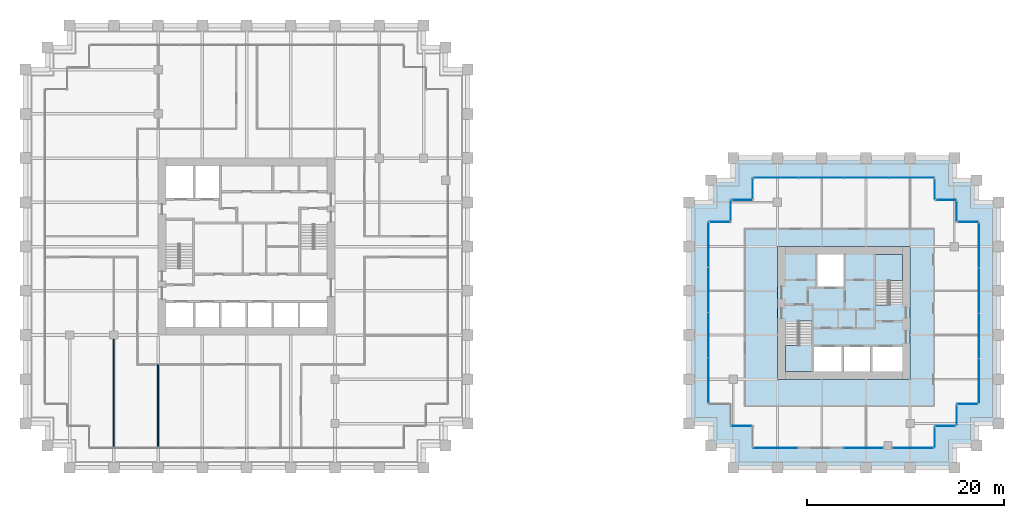
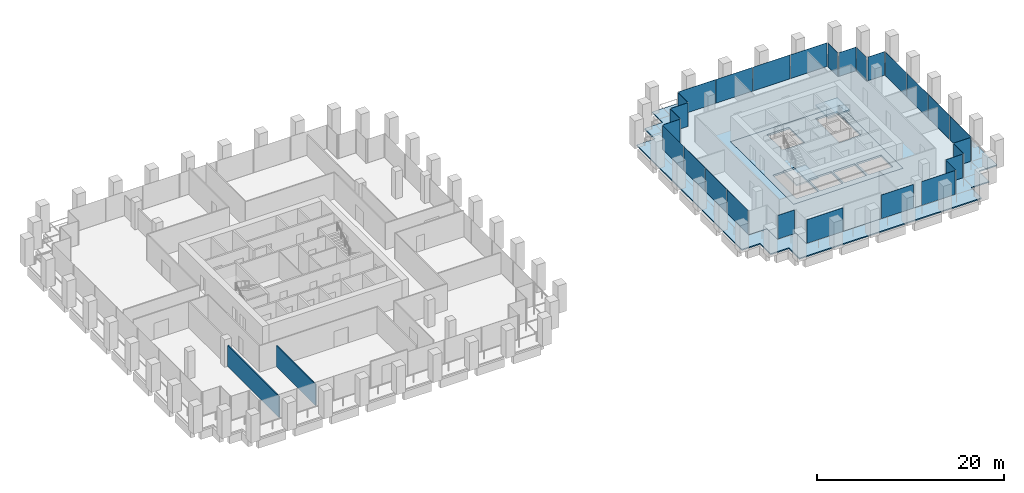
# One storey, part 49 of 54: 28 plates, 5 slabs, 2 walls, 21 elements without a shape of their own.
"""IFC4 building model written with IfcOpenShell, lengths in metres."""

from ifc_helpers import new_model, si_unit, direction, frame, frame_2d, origin, origin_2d, place, context, subcontext, project, spatial, polyline, rectangle, outline, extrude, material, layer, layer_set, type_object, element, aggregate, save


model = new_model("IFC4")

# Units and contexts
model_context = context("Model", 3, precision=1e-05, world=origin(), true_north=direction((0.0, 1.0)))
body_context = subcontext(model_context, "Body", "Model", "MODEL_VIEW")
ifc_project = project(units=[si_unit("LENGTHUNIT", "METRE"), si_unit("AREAUNIT", "SQUARE_METRE"), si_unit("VOLUMEUNIT", "CUBIC_METRE"), si_unit("PLANEANGLEUNIT", "RADIAN"), si_unit("MASSUNIT", "GRAM", prefix="KILO")], contexts=[model_context])

# Site, building, storey
site_placement = place(None, origin())
site = spatial("IfcSite", under=ifc_project, at=site_placement, CompositionType="ELEMENT")
building_placement = place(site_placement, origin())
building = spatial("IfcBuilding", under=site, at=building_placement, Name="Altepetl Exchange Towers", CompositionType="ELEMENT")
storey_placement = place(building_placement, frame((0.0, 0.0, 61.800048828125)))
storey = spatial("IfcBuildingStorey", under=building, at=storey_placement, Name="L14", CompositionType="ELEMENT", Elevation=61.800048828125)

# Slabs
ifc_material_1 = material(Name="Concrete C40/50", Category="concrete")
ifc_layer_1 = layer(ifc_material_1, 0.14990234375)
ifc_layer_set_1 = layer_set([ifc_layer_1], Name="Concrete C40/50")
slab_type_1 = type_object("IfcSlabType", Name="Composite floor slab 150", PredefinedType="FLOOR", material=ifc_layer_set_1)
slab_1_placement = place(storey_placement, frame((0.0, 0.0, -0.150146484375)))
element("IfcSlab", 1, at=slab_1_placement, inside=storey, type_object=slab_type_1, Name="slab:B:L14:strip0", PredefinedType="FLOOR", context=body_context, shape_type="SweptSolid", body=[
    extrude(outline(polyline([(98.75, 54.25), (98.75, 52.0), (96.5, 52.0), (96.5, 33.5), (98.75, 33.5), (98.75, 31.25), (101.0, 31.25), (101.0, 29.0), (119.5, 29.0), (119.5, 31.25), (121.75, 31.25), (121.75, 33.5), (124.0, 33.5), (124.0, 52.0), (121.75, 52.0), (121.75, 54.25), (119.5, 54.25), (119.5, 56.5), (101.0, 56.5), (101.0, 54.25), (98.75, 54.25)]), holes=[polyline([(117.0, 49.5), (117.0, 36.0), (103.5, 36.0), (103.5, 49.5), (117.0, 49.5)])]), origin(), (0.0, 0.0, 1.0), 0.150146484375),
])
ifc_layer_2 = layer(ifc_material_1, 0.25)
ifc_layer_set_2 = layer_set([ifc_layer_2], Name="Concrete C40/50")
slab_type_2 = type_object("IfcSlabType", Name="Core floor slab 250", PredefinedType="FLOOR", material=ifc_layer_set_2)
slab_2_placement = place(storey_placement, frame((0.0, 0.0, -0.25)))
element("IfcSlab", 2, at=slab_2_placement, inside=storey, type_object=slab_type_2, Name="slab:B:L14:core0", PredefinedType="FLOOR", context=body_context, shape_type="SweptSolid", body=[
    extrude(outline(polyline([(103.5, 36.0), (117.0, 36.0), (117.0, 49.5), (103.5, 49.5), (103.5, 36.0)]), holes=[polyline([(107.199951171875, 36.800048828125), (107.199951171875, 39.300048828125), (110.032958984375, 39.300048828125), (110.032958984375, 36.800048828125), (107.199951171875, 36.800048828125)]), polyline([(110.23291015625, 39.300048828125), (112.967041015625, 39.300048828125), (112.967041015625, 36.800048828125), (110.23291015625, 36.800048828125), (110.23291015625, 39.300048828125)]), polyline([(113.1669921875, 39.300048828125), (116.199951171875, 39.300048828125), (116.199951171875, 36.800048828125), (113.1669921875, 36.800048828125), (113.1669921875, 39.300048828125)]), polyline([(107.0, 36.800048828125), (104.300048828125, 36.800048828125), (104.300048828125, 41.85009765625), (105.60009765625, 41.85009765625), (105.60009765625, 41.948974609375), (107.0, 41.948974609375), (107.0, 36.800048828125)]), polyline([(116.199951171875, 48.699951171875), (116.199951171875, 43.64990234375), (114.89990234375, 43.64990234375), (114.89990234375, 43.551025390625), (113.5, 43.551025390625), (113.5, 48.699951171875), (116.199951171875, 48.699951171875)]), polyline([(107.532958984375, 48.699951171875), (110.26708984375, 48.699951171875), (110.26708984375, 45.39990234375), (107.532958984375, 45.39990234375), (107.532958984375, 48.699951171875)])]), origin(), (0.0, 0.0, 1.0), 0.25),
])

# Curtain wall, plate
ifc_material_2 = material(Name="Aluminium 6063-T6 glazing", Category="aluminium")
curtain_wall_type = type_object("IfcCurtainWallType", Name="Loggia glazing system", PredefinedType="NOTDEFINED", material=ifc_material_2)
curtain_wall_1_placement = place(storey_placement, origin())
curtain_wall_1 = element("IfcCurtainWall", 3, at=curtain_wall_1_placement, inside=storey, type_object=curtain_wall_type, Name="CW1 run", PredefinedType="NOTDEFINED")
ifc_material_3 = material(Name="Glass 6-16-6 low emissivity", Category="glass")
ifc_layer_3 = layer(ifc_material_3, 0.028076171875)
ifc_layer_set_3 = layer_set([ifc_layer_3], Name="Glass 6-16-6 low emissivity")
plate_type = type_object("IfcPlateType", Name="Glass panel 28 double glazed", PredefinedType="CURTAIN_PANEL", material=ifc_layer_set_3)
plate_1_placement = place(storey_placement, frame((97.66259765625, 52.0, 0.0), z_axis=(0.0, 0.0, 1.0), x_axis=(-1.0, 0.0, 0.0)))
plate_1 = element("IfcPlate", 4, at=plate_1_placement, type_object=plate_type, Name="GP1 panel", PredefinedType="CURTAIN_PANEL", context=body_context, shape_type="SweptSolid", body=[
    extrude(rectangle(XDim=2.054931640625, YDim=0.028076171875, at=origin_2d()), origin(), (0.0, 0.0, 1.0), 3.10009765625),
])
aggregate(curtain_wall_1, [plate_1])

# Curtain wall, plates
curtain_wall_2_placement = place(storey_placement, origin())
curtain_wall_2 = element("IfcCurtainWall", 5, at=curtain_wall_2_placement, inside=storey, type_object=curtain_wall_type, Name="CW1 run", PredefinedType="NOTDEFINED")
plate_2_placement = place(storey_placement, frame((96.5, 49.681884765625, 0.0), z_axis=(0.0, 0.0, 1.0), x_axis=(0.0, -1.0, 0.0)))
plate_2 = element("IfcPlate", 6, at=plate_2_placement, type_object=plate_type, Name="GP1 panel", PredefinedType="CURTAIN_PANEL", context=body_context, shape_type="SweptSolid", body=[
    extrude(rectangle(XDim=4.516357421875, YDim=0.028076171875, at=origin_2d()), origin(), (0.0, 0.0, 1.0), 3.10009765625),
])
plate_3_placement = place(storey_placement, frame((96.5, 45.090576171875, 0.0), z_axis=(0.0, 0.0, 1.0), x_axis=(0.0, -1.0, 0.0)))
plate_3 = element("IfcPlate", 7, at=plate_3_placement, type_object=plate_type, Name="GP1 panel", PredefinedType="CURTAIN_PANEL", context=body_context, shape_type="SweptSolid", body=[
    extrude(rectangle(XDim=4.546142578125, YDim=0.028076171875, at=origin_2d()), origin(), (0.0, 0.0, 1.0), 3.10009765625),
])
plate_4_placement = place(storey_placement, frame((96.5, 40.484375, 0.0), z_axis=(0.0, 0.0, 1.0), x_axis=(0.0, -1.0, 0.0)))
plate_4 = element("IfcPlate", 8, at=plate_4_placement, type_object=plate_type, Name="GP1 panel", PredefinedType="CURTAIN_PANEL", context=body_context, shape_type="SweptSolid", body=[
    extrude(rectangle(XDim=4.546142578125, YDim=0.028076171875, at=origin_2d()), origin(), (0.0, 0.0, 1.0), 3.10009765625),
])
plate_5_placement = place(storey_placement, frame((96.5, 35.89306640625, 0.0), z_axis=(0.0, 0.0, 1.0), x_axis=(0.0, -1.0, 0.0)))
plate_5 = element("IfcPlate", 9, at=plate_5_placement, type_object=plate_type, Name="GP1 panel", PredefinedType="CURTAIN_PANEL", context=body_context, shape_type="SweptSolid", body=[
    extrude(rectangle(XDim=4.516357421875, YDim=0.028076171875, at=origin_2d()), origin(), (0.0, 0.0, 1.0), 3.10009765625),
])
aggregate(curtain_wall_2, [plate_2, plate_3, plate_4, plate_5])

# Curtain wall, plate
curtain_wall_3_placement = place(storey_placement, origin())
curtain_wall_3 = element("IfcCurtainWall", 10, at=curtain_wall_3_placement, inside=storey, type_object=curtain_wall_type, Name="CW1 run", PredefinedType="NOTDEFINED")
plate_6_placement = place(storey_placement, frame((99.83740234375, 31.25, 0.0)))
plate_6 = element("IfcPlate", 11, at=plate_6_placement, type_object=plate_type, Name="GP1 panel", PredefinedType="CURTAIN_PANEL", context=body_context, shape_type="SweptSolid", body=[
    extrude(rectangle(XDim=2.054931640625, YDim=0.028076171875, at=origin_2d()), origin(), (0.0, 0.0, 1.0), 3.10009765625),
])
aggregate(curtain_wall_3, [plate_6])

curtain_wall_4_placement = place(storey_placement, origin())
curtain_wall_4 = element("IfcCurtainWall", 12, at=curtain_wall_4_placement, inside=storey, type_object=curtain_wall_type, Name="CW1 run", PredefinedType="NOTDEFINED")
plate_7_placement = place(storey_placement, frame((103.30322265625, 29.0, 0.0)))
plate_7 = element("IfcPlate", 13, at=plate_7_placement, type_object=plate_type, Name="GP1 panel", PredefinedType="CURTAIN_PANEL", context=body_context, shape_type="SweptSolid", body=[
    extrude(rectangle(XDim=4.486328125, YDim=0.028076171875, at=origin_2d()), origin(), (0.0, 0.0, 1.0), 3.10009765625),
])
aggregate(curtain_wall_4, [plate_7])

curtain_wall_5_placement = place(storey_placement, origin())
curtain_wall_5 = element("IfcCurtainWall", 14, at=curtain_wall_5_placement, inside=storey, type_object=curtain_wall_type, Name="CW1 run", PredefinedType="NOTDEFINED")
plate_8_placement = place(storey_placement, frame((112.2587890625, 29.0, 0.0)))
plate_8 = element("IfcPlate", 15, at=plate_8_placement, type_object=plate_type, Name="GP1 panel", PredefinedType="CURTAIN_PANEL", context=body_context, shape_type="SweptSolid", body=[
    extrude(rectangle(XDim=3.972412109375, YDim=0.028076171875, at=origin_2d()), origin(), (0.0, 0.0, 1.0), 3.10009765625),
])
aggregate(curtain_wall_5, [plate_8])

curtain_wall_6_placement = place(storey_placement, origin())
curtain_wall_6 = element("IfcCurtainWall", 16, at=curtain_wall_6_placement, inside=storey, type_object=curtain_wall_type, Name="CW1 run", PredefinedType="NOTDEFINED")
plate_9_placement = place(storey_placement, frame((117.31005859375, 29.0, 0.0)))
plate_9 = element("IfcPlate", 17, at=plate_9_placement, type_object=plate_type, Name="GP1 panel", PredefinedType="CURTAIN_PANEL", context=body_context, shape_type="SweptSolid", body=[
    extrude(rectangle(XDim=4.110107421875, YDim=0.028076171875, at=origin_2d()), origin(), (0.0, 0.0, 1.0), 3.10009765625),
])
aggregate(curtain_wall_6, [plate_9])

curtain_wall_7_placement = place(storey_placement, origin())
curtain_wall_7 = element("IfcCurtainWall", 18, at=curtain_wall_7_placement, inside=storey, type_object=curtain_wall_type, Name="CW1 run", PredefinedType="NOTDEFINED")
plate_10_placement = place(storey_placement, frame((119.5, 30.08740234375, 0.0), z_axis=(0.0, 0.0, 1.0), x_axis=(0.0, 1.0, 0.0)))
plate_10 = element("IfcPlate", 19, at=plate_10_placement, type_object=plate_type, Name="GP1 panel", PredefinedType="CURTAIN_PANEL", context=body_context, shape_type="SweptSolid", body=[
    extrude(rectangle(XDim=2.054931640625, YDim=0.028076171875, at=origin_2d()), origin(), (0.0, 0.0, 1.0), 3.10009765625),
])
aggregate(curtain_wall_7, [plate_10])

curtain_wall_8_placement = place(storey_placement, origin())
curtain_wall_8 = element("IfcCurtainWall", 20, at=curtain_wall_8_placement, inside=storey, type_object=curtain_wall_type, Name="CW1 run", PredefinedType="NOTDEFINED")
plate_11_placement = place(storey_placement, frame((120.58740234375, 31.25, 0.0)))
plate_11 = element("IfcPlate", 21, at=plate_11_placement, type_object=plate_type, Name="GP1 panel", PredefinedType="CURTAIN_PANEL", context=body_context, shape_type="SweptSolid", body=[
    extrude(rectangle(XDim=2.054931640625, YDim=0.028076171875, at=origin_2d()), origin(), (0.0, 0.0, 1.0), 3.10009765625),
])
aggregate(curtain_wall_8, [plate_11])

curtain_wall_9_placement = place(storey_placement, origin())
curtain_wall_9 = element("IfcCurtainWall", 22, at=curtain_wall_9_placement, inside=storey, type_object=curtain_wall_type, Name="CW1 run", PredefinedType="NOTDEFINED")
plate_12_placement = place(storey_placement, frame((121.75, 32.33740234375, 0.0), z_axis=(0.0, 0.0, 1.0), x_axis=(0.0, 1.0, 0.0)))
plate_12 = element("IfcPlate", 23, at=plate_12_placement, type_object=plate_type, Name="GP1 panel", PredefinedType="CURTAIN_PANEL", context=body_context, shape_type="SweptSolid", body=[
    extrude(rectangle(XDim=2.054931640625, YDim=0.028076171875, at=origin_2d()), origin(), (0.0, 0.0, 1.0), 3.10009765625),
])
aggregate(curtain_wall_9, [plate_12])

curtain_wall_10_placement = place(storey_placement, origin())
curtain_wall_10 = element("IfcCurtainWall", 24, at=curtain_wall_10_placement, inside=storey, type_object=curtain_wall_type, Name="CW1 run", PredefinedType="NOTDEFINED")
plate_13_placement = place(storey_placement, frame((122.83740234375, 33.5, 0.0)))
plate_13 = element("IfcPlate", 25, at=plate_13_placement, type_object=plate_type, Name="GP1 panel", PredefinedType="CURTAIN_PANEL", context=body_context, shape_type="SweptSolid", body=[
    extrude(rectangle(XDim=2.054931640625, YDim=0.028076171875, at=origin_2d()), origin(), (0.0, 0.0, 1.0), 3.10009765625),
])
aggregate(curtain_wall_10, [plate_13])

# Curtain wall, plates
curtain_wall_11_placement = place(storey_placement, origin())
curtain_wall_11 = element("IfcCurtainWall", 26, at=curtain_wall_11_placement, inside=storey, type_object=curtain_wall_type, Name="CW1 run", PredefinedType="NOTDEFINED")
plate_14_placement = place(storey_placement, frame((124.0, 35.818115234375, 0.0), z_axis=(0.0, 0.0, 1.0), x_axis=(0.0, 1.0, 0.0)))
plate_14 = element("IfcPlate", 27, at=plate_14_placement, type_object=plate_type, Name="GP1 panel", PredefinedType="CURTAIN_PANEL", context=body_context, shape_type="SweptSolid", body=[
    extrude(rectangle(XDim=4.516357421875, YDim=0.028076171875, at=origin_2d()), origin(), (0.0, 0.0, 1.0), 3.10009765625),
])
plate_15_placement = place(storey_placement, frame((124.0, 40.409423828125, 0.0), z_axis=(0.0, 0.0, 1.0), x_axis=(0.0, 1.0, 0.0)))
plate_15 = element("IfcPlate", 28, at=plate_15_placement, type_object=plate_type, Name="GP1 panel", PredefinedType="CURTAIN_PANEL", context=body_context, shape_type="SweptSolid", body=[
    extrude(rectangle(XDim=4.546142578125, YDim=0.028076171875, at=origin_2d()), origin(), (0.0, 0.0, 1.0), 3.10009765625),
])
plate_16_placement = place(storey_placement, frame((124.0, 45.015625, 0.0), z_axis=(0.0, 0.0, 1.0), x_axis=(0.0, 1.0, 0.0)))
plate_16 = element("IfcPlate", 29, at=plate_16_placement, type_object=plate_type, Name="GP1 panel", PredefinedType="CURTAIN_PANEL", context=body_context, shape_type="SweptSolid", body=[
    extrude(rectangle(XDim=4.546142578125, YDim=0.028076171875, at=origin_2d()), origin(), (0.0, 0.0, 1.0), 3.10009765625),
])
plate_17_placement = place(storey_placement, frame((124.0, 49.60693359375, 0.0), z_axis=(0.0, 0.0, 1.0), x_axis=(0.0, 1.0, 0.0)))
plate_17 = element("IfcPlate", 30, at=plate_17_placement, type_object=plate_type, Name="GP1 panel", PredefinedType="CURTAIN_PANEL", context=body_context, shape_type="SweptSolid", body=[
    extrude(rectangle(XDim=4.516357421875, YDim=0.028076171875, at=origin_2d()), origin(), (0.0, 0.0, 1.0), 3.10009765625),
])
aggregate(curtain_wall_11, [plate_14, plate_15, plate_16, plate_17])

# Curtain wall, plate
curtain_wall_12_placement = place(storey_placement, origin())
curtain_wall_12 = element("IfcCurtainWall", 31, at=curtain_wall_12_placement, inside=storey, type_object=curtain_wall_type, Name="CW1 run", PredefinedType="NOTDEFINED")
plate_18_placement = place(storey_placement, frame((122.91259765625, 52.0, 0.0), z_axis=(0.0, 0.0, 1.0), x_axis=(-1.0, 0.0, 0.0)))
plate_18 = element("IfcPlate", 32, at=plate_18_placement, type_object=plate_type, Name="GP1 panel", PredefinedType="CURTAIN_PANEL", context=body_context, shape_type="SweptSolid", body=[
    extrude(rectangle(XDim=2.054931640625, YDim=0.028076171875, at=origin_2d()), origin(), (0.0, 0.0, 1.0), 3.10009765625),
])
aggregate(curtain_wall_12, [plate_18])

curtain_wall_13_placement = place(storey_placement, origin())
curtain_wall_13 = element("IfcCurtainWall", 33, at=curtain_wall_13_placement, inside=storey, type_object=curtain_wall_type, Name="CW1 run", PredefinedType="NOTDEFINED")
plate_19_placement = place(storey_placement, frame((121.75, 53.08740234375, 0.0), z_axis=(0.0, 0.0, 1.0), x_axis=(0.0, 1.0, 0.0)))
plate_19 = element("IfcPlate", 34, at=plate_19_placement, type_object=plate_type, Name="GP1 panel", PredefinedType="CURTAIN_PANEL", context=body_context, shape_type="SweptSolid", body=[
    extrude(rectangle(XDim=2.054931640625, YDim=0.028076171875, at=origin_2d()), origin(), (0.0, 0.0, 1.0), 3.10009765625),
])
aggregate(curtain_wall_13, [plate_19])

curtain_wall_14_placement = place(storey_placement, origin())
curtain_wall_14 = element("IfcCurtainWall", 35, at=curtain_wall_14_placement, inside=storey, type_object=curtain_wall_type, Name="CW1 run", PredefinedType="NOTDEFINED")
plate_20_placement = place(storey_placement, frame((120.66259765625, 54.25, 0.0), z_axis=(0.0, 0.0, 1.0), x_axis=(-1.0, 0.0, 0.0)))
plate_20 = element("IfcPlate", 36, at=plate_20_placement, type_object=plate_type, Name="GP1 panel", PredefinedType="CURTAIN_PANEL", context=body_context, shape_type="SweptSolid", body=[
    extrude(rectangle(XDim=2.054931640625, YDim=0.028076171875, at=origin_2d()), origin(), (0.0, 0.0, 1.0), 3.10009765625),
])
aggregate(curtain_wall_14, [plate_20])

curtain_wall_15_placement = place(storey_placement, origin())
curtain_wall_15 = element("IfcCurtainWall", 37, at=curtain_wall_15_placement, inside=storey, type_object=curtain_wall_type, Name="CW1 run", PredefinedType="NOTDEFINED")
plate_21_placement = place(storey_placement, frame((119.5, 55.33740234375, 0.0), z_axis=(0.0, 0.0, 1.0), x_axis=(0.0, 1.0, 0.0)))
plate_21 = element("IfcPlate", 38, at=plate_21_placement, type_object=plate_type, Name="GP1 panel", PredefinedType="CURTAIN_PANEL", context=body_context, shape_type="SweptSolid", body=[
    extrude(rectangle(XDim=2.054931640625, YDim=0.028076171875, at=origin_2d()), origin(), (0.0, 0.0, 1.0), 3.10009765625),
])
aggregate(curtain_wall_15, [plate_21])

# Curtain wall, plates
curtain_wall_16_placement = place(storey_placement, origin())
curtain_wall_16 = element("IfcCurtainWall", 39, at=curtain_wall_16_placement, inside=storey, type_object=curtain_wall_type, Name="CW1 run", PredefinedType="NOTDEFINED")
plate_22_placement = place(storey_placement, frame((117.181884765625, 56.5, 0.0), z_axis=(0.0, 0.0, 1.0), x_axis=(-1.0, 0.0, 0.0)))
plate_22 = element("IfcPlate", 40, at=plate_22_placement, type_object=plate_type, Name="GP1 panel", PredefinedType="CURTAIN_PANEL", context=body_context, shape_type="SweptSolid", body=[
    extrude(rectangle(XDim=4.516357421875, YDim=0.028076171875, at=origin_2d()), origin(), (0.0, 0.0, 1.0), 3.10009765625),
])
plate_23_placement = place(storey_placement, frame((112.590576171875, 56.5, 0.0), z_axis=(0.0, 0.0, 1.0), x_axis=(-1.0, 0.0, 0.0)))
plate_23 = element("IfcPlate", 41, at=plate_23_placement, type_object=plate_type, Name="GP1 panel", PredefinedType="CURTAIN_PANEL", context=body_context, shape_type="SweptSolid", body=[
    extrude(rectangle(XDim=4.546142578125, YDim=0.028076171875, at=origin_2d()), origin(), (0.0, 0.0, 1.0), 3.10009765625),
])
plate_24_placement = place(storey_placement, frame((107.984375, 56.5, 0.0), z_axis=(0.0, 0.0, 1.0), x_axis=(-1.0, 0.0, 0.0)))
plate_24 = element("IfcPlate", 42, at=plate_24_placement, type_object=plate_type, Name="GP1 panel", PredefinedType="CURTAIN_PANEL", context=body_context, shape_type="SweptSolid", body=[
    extrude(rectangle(XDim=4.546142578125, YDim=0.028076171875, at=origin_2d()), origin(), (0.0, 0.0, 1.0), 3.10009765625),
])
plate_25_placement = place(storey_placement, frame((103.39306640625, 56.5, 0.0), z_axis=(0.0, 0.0, 1.0), x_axis=(-1.0, 0.0, 0.0)))
plate_25 = element("IfcPlate", 43, at=plate_25_placement, type_object=plate_type, Name="GP1 panel", PredefinedType="CURTAIN_PANEL", context=body_context, shape_type="SweptSolid", body=[
    extrude(rectangle(XDim=4.516357421875, YDim=0.028076171875, at=origin_2d()), origin(), (0.0, 0.0, 1.0), 3.10009765625),
])
aggregate(curtain_wall_16, [plate_22, plate_23, plate_24, plate_25])

# Curtain wall, plate
curtain_wall_17_placement = place(storey_placement, origin())
curtain_wall_17 = element("IfcCurtainWall", 44, at=curtain_wall_17_placement, inside=storey, type_object=curtain_wall_type, Name="CW1 run", PredefinedType="NOTDEFINED")
plate_26_placement = place(storey_placement, frame((101.0, 55.41259765625, 0.0), z_axis=(0.0, 0.0, 1.0), x_axis=(0.0, -1.0, 0.0)))
plate_26 = element("IfcPlate", 45, at=plate_26_placement, type_object=plate_type, Name="GP1 panel", PredefinedType="CURTAIN_PANEL", context=body_context, shape_type="SweptSolid", body=[
    extrude(rectangle(XDim=2.054931640625, YDim=0.028076171875, at=origin_2d()), origin(), (0.0, 0.0, 1.0), 3.10009765625),
])
aggregate(curtain_wall_17, [plate_26])

curtain_wall_18_placement = place(storey_placement, origin())
curtain_wall_18 = element("IfcCurtainWall", 46, at=curtain_wall_18_placement, inside=storey, type_object=curtain_wall_type, Name="CW1 run", PredefinedType="NOTDEFINED")
plate_27_placement = place(storey_placement, frame((99.91259765625, 54.25, 0.0), z_axis=(0.0, 0.0, 1.0), x_axis=(-1.0, 0.0, 0.0)))
plate_27 = element("IfcPlate", 47, at=plate_27_placement, type_object=plate_type, Name="GP1 panel", PredefinedType="CURTAIN_PANEL", context=body_context, shape_type="SweptSolid", body=[
    extrude(rectangle(XDim=2.054931640625, YDim=0.028076171875, at=origin_2d()), origin(), (0.0, 0.0, 1.0), 3.10009765625),
])
aggregate(curtain_wall_18, [plate_27])

curtain_wall_19_placement = place(storey_placement, origin())
curtain_wall_19 = element("IfcCurtainWall", 48, at=curtain_wall_19_placement, inside=storey, type_object=curtain_wall_type, Name="CW1 run", PredefinedType="NOTDEFINED")
plate_28_placement = place(storey_placement, frame((98.75, 53.16259765625, 0.0), z_axis=(0.0, 0.0, 1.0), x_axis=(0.0, -1.0, 0.0)))
plate_28 = element("IfcPlate", 49, at=plate_28_placement, type_object=plate_type, Name="GP1 panel", PredefinedType="CURTAIN_PANEL", context=body_context, shape_type="SweptSolid", body=[
    extrude(rectangle(XDim=2.054931640625, YDim=0.028076171875, at=origin_2d()), origin(), (0.0, 0.0, 1.0), 3.10009765625),
])
aggregate(curtain_wall_19, [plate_28])

# Slab
ifc_layer_4 = layer(ifc_material_1, 0.14990234375)
ifc_layer_set_4 = layer_set([ifc_layer_4], Name="Concrete C40/50")
slab_type_3 = type_object("IfcSlabType", Name="Loggia slab 150", PredefinedType="FLOOR", material=ifc_layer_set_4)
slab_3_placement = place(storey_placement, frame((0.0, 0.0, -0.150146484375)))
element("IfcSlab", 50, at=slab_3_placement, inside=storey, type_object=slab_type_3, Name="slab:B:L14:loggia0", PredefinedType="FLOOR", context=body_context, shape_type="SweptSolid", body=[
    extrude(outline(polyline([(96.75, 54.0), (94.5, 54.0), (94.5, 36.0), (94.5, 31.5), (96.75, 31.5), (96.75, 29.25), (99.0, 29.25), (99.0, 27.0), (117.0, 27.0), (121.5, 27.0), (121.5, 29.25), (123.75, 29.25), (123.75, 31.5), (126.0, 31.5), (126.0, 49.5), (126.0, 54.0), (123.75, 54.0), (123.75, 56.25), (121.5, 56.25), (121.5, 58.5), (103.5, 58.5), (99.0, 58.5), (99.0, 56.25), (96.75, 56.25), (96.75, 54.0)]), holes=[polyline([(96.5, 52.0), (98.75, 52.0), (98.75, 54.25), (101.0, 54.25), (101.0, 56.5), (119.5, 56.5), (119.5, 54.25), (121.75, 54.25), (121.75, 52.0), (124.0, 52.0), (124.0, 33.5), (121.75, 33.5), (121.75, 31.25), (119.5, 31.25), (119.5, 29.0), (101.0, 29.0), (101.0, 31.25), (98.75, 31.25), (98.75, 33.5), (96.5, 33.5), (96.5, 52.0)])]), origin(), (0.0, 0.0, 1.0), 0.150146484375),
])

# Stair, slab
stair_type = type_object("IfcStairType", Name="Exit stair 1300 flights dogleg", PredefinedType="HALF_TURN_STAIR", material=ifc_material_1)
stair_1_placement = place(storey_placement, origin())
stair_1 = element("IfcStair", 51, at=stair_1_placement, inside=storey, type_object=stair_type, Name="Exit stair 1", PredefinedType="HALF_TURN_STAIR")
ifc_layer_5 = layer(ifc_material_1, 0.199951171875)
ifc_layer_set_5 = layer_set([ifc_layer_5], Name="Concrete C40/50")
slab_type_4 = type_object("IfcSlabType", Name="Stair landing 200 reinforced concrete", PredefinedType="LANDING", material=ifc_layer_set_5)
slab_4_placement = place(storey_placement, frame((0.0, 0.0, 1.599853515625)))
slab_4 = element("IfcSlab", 52, at=slab_4_placement, type_object=slab_type_4, Name="ST-B1c landing 1", PredefinedType="LANDING", context=body_context, shape_type="SweptSolid", body=[
    extrude(outline(polyline([(107.0, 36.800048828125), (104.300048828125, 36.800048828125), (104.300048828125, 39.429931640625), (104.300048828125, 39.4306640625), (105.60009765625, 39.4306640625), (105.60009765625, 39.429931640625), (105.699951171875, 39.429931640625), (105.699951171875, 39.530029296875), (107.0, 39.530029296875), (107.0, 39.429931640625), (107.0, 36.800048828125)])), origin(), (0.0, 0.0, 1.0), 0.2001953125),
])
aggregate(stair_1, [slab_4])

stair_2_placement = place(storey_placement, origin())
stair_2 = element("IfcStair", 53, at=stair_2_placement, inside=storey, type_object=stair_type, Name="Exit stair 2", PredefinedType="HALF_TURN_STAIR")
slab_5_placement = place(storey_placement, frame((0.0, 0.0, 1.599853515625)))
slab_5 = element("IfcSlab", 54, at=slab_5_placement, type_object=slab_type_4, Name="ST-B2c landing 1", PredefinedType="LANDING", context=body_context, shape_type="SweptSolid", body=[
    extrude(outline(polyline([(114.800048828125, 45.969970703125), (113.5, 45.969970703125), (113.5, 46.070068359375), (113.5, 48.699951171875), (116.199951171875, 48.699951171875), (116.199951171875, 46.070068359375), (116.199951171875, 46.0693359375), (114.89990234375, 46.0693359375), (114.89990234375, 46.070068359375), (114.800048828125, 46.070068359375), (114.800048828125, 45.969970703125)])), origin(), (0.0, 0.0, 1.0), 0.2001953125),
])
aggregate(stair_2, [slab_5])

# Walls
ifc_material_4 = material(Name="Gypsum board on steel studs", Category="steel")
ifc_layer_6 = layer(ifc_material_4, 0.125)
ifc_layer_set_6 = layer_set([ifc_layer_6], Name="Gypsum board on steel studs")
wall_type = type_object("IfcWallType", Name="Partition 125 gypsum board on steel studs", PredefinedType="PARTITIONING", material=ifc_layer_set_6)
wall_1_placement = place(storey_placement, frame((36.0, 29.10009765625, 0.0), z_axis=(0.0, 0.0, 1.0), x_axis=(0.0, 1.0, 0.0)))
element("IfcWall", 55, at=wall_1_placement, inside=storey, type_object=wall_type, Name="wall:A:L14:P10", PredefinedType="PARTITIONING", context=body_context, shape_type="SweptSolid", body=[
    extrude(rectangle(XDim=10.974853515625, YDim=0.125, at=frame_2d((5.4873046875, 0.0))), origin(), (0.0, 0.0, 1.0), 2.765869140625),
])
wall_2_placement = place(storey_placement, frame((40.5, 29.10009765625, 0.0), z_axis=(0.0, 0.0, 1.0), x_axis=(0.0, 1.0, 0.0)))
element("IfcWall", 56, at=wall_2_placement, inside=storey, type_object=wall_type, Name="wall:A:L14:P14", PredefinedType="PARTITIONING", context=body_context, shape_type="SweptSolid", body=[
    extrude(rectangle(XDim=8.39990234375, YDim=0.125, at=frame_2d((4.199951171875, 0.0))), origin(), (0.0, 0.0, 1.0), 2.765869140625),
])

save(model, "model.ifc")
